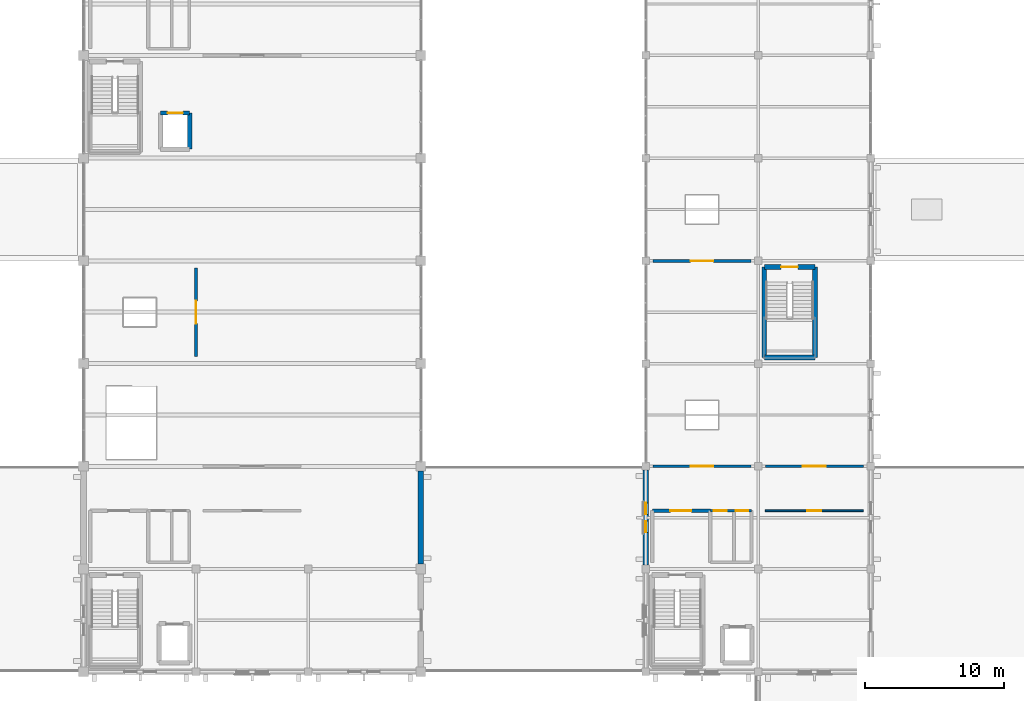
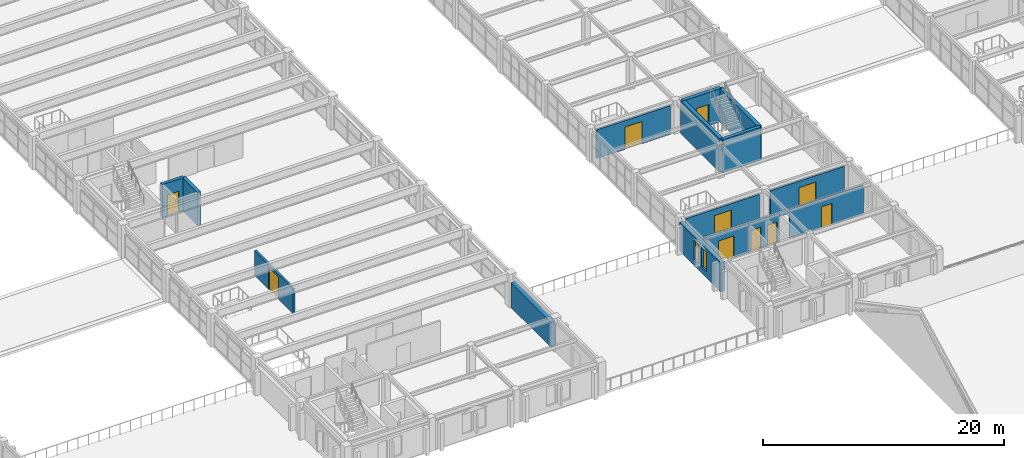
# One storey, part 104 of 121: 15 walls, 10 doors, 2 windows, 12 openings.
"""IFC4 building model written with IfcOpenShell, lengths in metres."""

from ifc_helpers import new_model, si_unit, direction, frame, frame_2d, origin, place, context, subcontext, project, spatial, rectangle, extrude, material, layer, layer_set, type_object, element, fill, save


model = new_model("IFC4")

# Units and contexts
model_context = context("Model", 3, precision=1e-05, world=origin(), true_north=direction((0.0, 1.0)))
body_context = subcontext(model_context, "Body", "Model", "MODEL_VIEW")
ifc_project = project(units=[si_unit("LENGTHUNIT", "METRE"), si_unit("AREAUNIT", "SQUARE_METRE"), si_unit("VOLUMEUNIT", "CUBIC_METRE"), si_unit("PLANEANGLEUNIT", "RADIAN"), si_unit("MASSUNIT", "GRAM", prefix="KILO")], contexts=[model_context])

# Site, building, storey
site_placement = place(None, origin())
site = spatial("IfcSite", under=ifc_project, at=site_placement, CompositionType="ELEMENT")
building_placement = place(site_placement, origin())
building = spatial("IfcBuilding", under=site, at=building_placement, Name="Cimatlan Art Gallery", CompositionType="ELEMENT")
storey_placement = place(building_placement, frame((0.0, 0.0, 10.199951171875)))
storey = spatial("IfcBuildingStorey", under=building, at=storey_placement, Name="L02", CompositionType="ELEMENT", Elevation=10.199951171875)

# Wall
ifc_material_1 = material(Name="Concrete C40/50", Category="concrete")
ifc_layer_1 = layer(ifc_material_1, 0.31005859375)
ifc_layer_set_1 = layer_set([ifc_layer_1], Name="Concrete C40/50")
wall_type_1 = type_object("IfcWallType", Name="W-CORE-310", PredefinedType="SHEAR", material=ifc_layer_set_1)
wall_1_placement = place(storey_placement, frame((82.550048828125, 61.550048828125, 0.0), z_axis=(0.0, 0.0, 1.0), x_axis=(0.0, 1.0, 0.0)))
element("IfcWall", 1, at=wall_1_placement, inside=storey, type_object=wall_type_1, Name="WL-SHFT-C6-L02-LE", PredefinedType="SHEAR", context=body_context, shape_type="SweptSolid", body=[
    extrude(rectangle(XDim=2.599853515625, YDim=0.31005859375, at=frame_2d((1.2998046875, 0.0))), origin(), (0.0, 0.0, 1.0), 3.364990234375),
])

# Wall, opening, door
wall_2_placement = place(storey_placement, frame((80.449951171875, 64.14990234375, 0.0), z_axis=(0.0, 0.0, 1.0), x_axis=(1.0, 0.0, 0.0)))
wall_2 = element("IfcWall", 2, at=wall_2_placement, inside=storey, type_object=wall_type_1, Name="WL-SHFT-C6-L02-LN", PredefinedType="SHEAR", context=body_context, shape_type="SweptSolid", body=[
    extrude(rectangle(XDim=2.10009765625, YDim=0.31005859375, at=frame_2d((1.050048828125, 0.0))), origin(), (0.0, 0.0, 1.0), 3.364990234375),
])
opening_1_placement = place(wall_2_placement, frame((0.5, 0.0, 0.0)))
opening_1 = element("IfcOpeningElement", 3, at=opening_1_placement, cuts=wall_2, Name="Opening LD-C6-L02", PredefinedType="OPENING", context=body_context, shape_type="SweptSolid", body=[
    extrude(rectangle(XDim=1.10009765625, YDim=2.14990234375, at=frame_2d((0.550048828125, 1.074951171875))), frame((0.0, 0.1650390625, 0.0), z_axis=(0.0, -1.0, 0.0), x_axis=(1.0, 0.0, 0.0)), (0.0, 0.0, 1.0), 0.330078125),
])
ifc_material_2 = material(Name="Brushed bronze sliding lift landing door")
door_type_1 = type_object("IfcDoorType", Name="LD-PS-1100", OperationType="NOTDEFINED", PredefinedType="DOOR", material=ifc_material_2)
door_1_placement = place(opening_1_placement, origin())
door_1 = element("IfcDoor", 4, at=door_1_placement, inside=storey, type_object=door_type_1, Name="LD-PL-03-L02", OperationType="SLIDING_TO_RIGHT", OverallHeight=2.14990234375, OverallWidth=1.10009765625, PredefinedType="DOOR", context=body_context, shape_type="SweptSolid", body=[
    extrude(rectangle(XDim=1.10009765625, YDim=2.14990234375, at=frame_2d((0.550048828125, 1.074951171875))), frame((0.0, 0.02490234375, 0.0), z_axis=(0.0, -1.0, 0.0), x_axis=(1.0, 0.0, 0.0)), (0.0, 0.0, 1.0), 0.050048828125),
])
fill(opening_1, door_1)

# Walls
ifc_layer_2 = layer(ifc_material_1, 0.35009765625)
ifc_layer_set_2 = layer_set([ifc_layer_2], Name="Concrete C40/50")
wall_type_2 = type_object("IfcWallType", Name="W-CORE-350", PredefinedType="SHEAR", material=ifc_layer_set_2)
wall_3_placement = place(storey_placement, frame((123.93994140625, 46.5400390625, 0.0), z_axis=(0.0, 0.0, 1.0), x_axis=(0.0, 1.0, 0.0)))
element("IfcWall", 5, at=wall_3_placement, inside=storey, type_object=wall_type_2, Name="WL-CORE-C9-L02-SW", PredefinedType="SHEAR", context=body_context, shape_type="SweptSolid", body=[
    extrude(rectangle(XDim=6.52001953125, YDim=0.35009765625, at=frame_2d((3.260009765625, 0.0))), origin(), (0.0, 0.0, 1.0), 3.364990234375),
])
wall_4_placement = place(storey_placement, frame((123.93994140625, 46.5400390625, 0.0), z_axis=(0.0, 0.0, 1.0), x_axis=(1.0, 0.0, 0.0)))
element("IfcWall", 6, at=wall_4_placement, inside=storey, type_object=wall_type_2, Name="WL-CORE-C9-L02-SS", PredefinedType="SHEAR", context=body_context, shape_type="SweptSolid", body=[
    extrude(rectangle(XDim=3.64013671875, YDim=0.35009765625, at=frame_2d((1.820068359375, 0.0))), origin(), (0.0, 0.0, 1.0), 3.364990234375),
])
wall_5_placement = place(storey_placement, frame((127.580078125, 46.5400390625, 0.0), z_axis=(0.0, 0.0, 1.0), x_axis=(0.0, 1.0, 0.0)))
element("IfcWall", 7, at=wall_5_placement, inside=storey, type_object=wall_type_2, Name="WL-CORE-C9-L02-SE", PredefinedType="SHEAR", context=body_context, shape_type="SweptSolid", body=[
    extrude(rectangle(XDim=6.52001953125, YDim=0.35009765625, at=frame_2d((3.260009765625, 0.0))), origin(), (0.0, 0.0, 1.0), 3.364990234375),
])

# Wall, opening, door
wall_6_placement = place(storey_placement, frame((123.93994140625, 53.06005859375, 0.0), z_axis=(0.0, 0.0, 1.0), x_axis=(1.0, 0.0, 0.0)))
wall_6 = element("IfcWall", 8, at=wall_6_placement, inside=storey, type_object=wall_type_2, Name="WL-CORE-C9-L02-SN", PredefinedType="SHEAR", context=body_context, shape_type="SweptSolid", body=[
    extrude(rectangle(XDim=3.64013671875, YDim=0.35009765625, at=frame_2d((1.820068359375, 0.0))), origin(), (0.0, 0.0, 1.0), 3.364990234375),
])
opening_2_placement = place(wall_6_placement, frame((1.219970703125, 0.0, 0.0)))
opening_2 = element("IfcOpeningElement", 9, at=opening_2_placement, cuts=wall_6, Name="Opening FD-C9-L02", PredefinedType="OPENING", context=body_context, shape_type="SweptSolid", body=[
    extrude(rectangle(XDim=1.199951171875, YDim=2.14990234375, at=frame_2d((0.60009765625, 1.074951171875))), frame((0.0, 0.18505859375, 0.0), z_axis=(0.0, -1.0, 0.0), x_axis=(1.0, 0.0, 0.0)), (0.0, 0.0, 1.0), 0.3701171875),
])
ifc_material_3 = material(Name="Fire-resisting steel acoustic stair door", Category="steel")
door_type_2 = type_object("IfcDoorType", Name="FD-ST-1200", OperationType="NOTDEFINED", PredefinedType="DOOR", material=ifc_material_3)
door_2_placement = place(opening_2_placement, origin())
door_2 = element("IfcDoor", 10, at=door_2_placement, inside=storey, type_object=door_type_2, Name="DR-C9-L02-ST", OperationType="SINGLE_SWING_RIGHT", OverallHeight=2.14990234375, OverallWidth=1.199951171875, PredefinedType="DOOR", context=body_context, shape_type="SweptSolid", body=[
    extrude(rectangle(XDim=1.199951171875, YDim=2.14990234375, at=frame_2d((0.60009765625, 1.074951171875))), frame((0.0, 0.02490234375, 0.0), z_axis=(0.0, -1.0, 0.0), x_axis=(1.0, 0.0, 0.0)), (0.0, 0.0, 1.0), 0.050048828125),
])
fill(opening_2, door_2)

ifc_material_4 = material(Name="Precast concrete C40/50", Category="concrete")
ifc_layer_3 = layer(ifc_material_4, 0.2451171875)
ifc_layer_set_3 = layer_set([ifc_layer_3], Name="Precast concrete C40/50")
wall_type_3 = type_object("IfcWallType", Name="W-FFL-245", PredefinedType="PARTITIONING", material=ifc_layer_set_3)
wall_7_placement = place(storey_placement, frame((115.8798828125, 35.5, 0.0), z_axis=(0.0, 0.0, 1.0), x_axis=(1.0, 0.0, 0.0)))
wall_7 = element("IfcWall", 11, at=wall_7_placement, inside=storey, type_object=wall_type_3, Name="WL-LOB-C4-L02-N", PredefinedType="PARTITIONING", context=body_context, shape_type="SweptSolid", body=[
    extrude(rectangle(XDim=4.170166015625, YDim=0.2451171875, at=frame_2d((2.0849609375, 0.0))), origin(), (0.0, 0.0, 1.0), 2.903076171875),
])
opening_3_placement = place(wall_7_placement, frame((1.300048828125, 0.0, 0.0)))
opening_3 = element("IfcOpeningElement", 12, at=opening_3_placement, cuts=wall_7, Name="Opening FDL-C4-L02", PredefinedType="OPENING", context=body_context, shape_type="SweptSolid", body=[
    extrude(rectangle(XDim=1.5, YDim=2.14990234375, at=frame_2d((0.75, 1.074951171875))), frame((0.0, 0.132568359375, 0.0), z_axis=(0.0, -1.0, 0.0), x_axis=(1.0, 0.0, 0.0)), (0.0, 0.0, 1.0), 0.26513671875),
])
ifc_material_5 = material(Name="Fire-resisting double-seal lobby door")
door_type_3 = type_object("IfcDoorType", Name="FD-LB-1500", OperationType="NOTDEFINED", PredefinedType="DOOR", material=ifc_material_5)
door_3_placement = place(opening_3_placement, origin())
door_3 = element("IfcDoor", 13, at=door_3_placement, inside=storey, type_object=door_type_3, Name="DR-LOB-C4-L02", OperationType="SINGLE_SWING_RIGHT", OverallHeight=2.14990234375, OverallWidth=1.5, PredefinedType="DOOR", context=body_context, shape_type="SweptSolid", body=[
    extrude(rectangle(XDim=1.5, YDim=2.14990234375, at=frame_2d((0.75, 1.074951171875))), frame((0.0, 0.02490234375, 0.0), z_axis=(0.0, -1.0, 0.0), x_axis=(1.0, 0.0, 0.0)), (0.0, 0.0, 1.0), 0.050048828125),
])
fill(opening_3, door_3)

ifc_material_6 = material(Name="Acoustic gypsum and steel stud partition", Category="steel")
ifc_layer_4 = layer(ifc_material_6, 0.205078125)
ifc_layer_set_4 = layer_set([ifc_layer_4], Name="Acoustic gypsum and steel stud partition")
wall_type_4 = type_object("IfcWallType", Name="W-GAL-205", PredefinedType="PARTITIONING", material=ifc_layer_set_4)
wall_8_placement = place(storey_placement, frame((83.0, 46.6201171875, 0.0), z_axis=(0.0, 0.0, 1.0), x_axis=(0.0, 1.0, 0.0)))
wall_8 = element("IfcWall", 14, at=wall_8_placement, inside=storey, type_object=wall_type_4, Name="WL-RM-L02-GAL-CW", PredefinedType="PARTITIONING", context=body_context, shape_type="SweptSolid", body=[
    extrude(rectangle(XDim=6.35986328125, YDim=0.205078125, at=frame_2d((3.179931640625, 0.0))), origin(), (0.0, 0.0, 1.0), 2.51416015625),
])
opening_4_placement = place(wall_8_placement, frame((2.35498046875, 0.0, 0.0)))
opening_4 = element("IfcOpeningElement", 15, at=opening_4_placement, cuts=wall_8, Name="Opening DI-0231", PredefinedType="OPENING", context=body_context, shape_type="SweptSolid", body=[
    extrude(rectangle(XDim=1.64990234375, YDim=2.25, at=frame_2d((0.824951171875, 1.125))), frame((0.0, 0.112548828125, 0.0), z_axis=(0.0, -1.0, 0.0), x_axis=(1.0, 0.0, 0.0)), (0.0, 0.0, 1.0), 0.22509765625),
])
ifc_material_7 = material(Name="European oak gallery double door")
door_type_4 = type_object("IfcDoorType", Name="DI-GL-1650", OperationType="NOTDEFINED", PredefinedType="DOOR", material=ifc_material_7)
door_4_placement = place(opening_4_placement, origin())
door_4 = element("IfcDoor", 16, at=door_4_placement, inside=storey, type_object=door_type_4, Name="DR-RM-L02-GAL-CW", OperationType="SINGLE_SWING_LEFT", OverallHeight=2.25, OverallWidth=1.64990234375, PredefinedType="DOOR", context=body_context, shape_type="SweptSolid", body=[
    extrude(rectangle(XDim=1.64990234375, YDim=2.25, at=frame_2d((0.824951171875, 1.125))), frame((0.0, 0.02490234375, 0.0), z_axis=(0.0, -1.0, 0.0), x_axis=(1.0, 0.0, 0.0)), (0.0, 0.0, 1.0), 0.050048828125),
])
fill(opening_4, door_4)

wall_9_placement = place(storey_placement, frame((115.919921875, 38.699951171875, 0.0), z_axis=(0.0, 0.0, 1.0), x_axis=(1.0, 0.0, 0.0)))
wall_9 = element("IfcWall", 17, at=wall_9_placement, inside=storey, type_object=wall_type_4, Name="WL-RM-L02-GAL-E1", PredefinedType="PARTITIONING", context=body_context, shape_type="SweptSolid", body=[
    extrude(rectangle(XDim=7.06005859375, YDim=0.205078125, at=frame_2d((3.530029296875, 0.0))), origin(), (0.0, 0.0, 1.0), 2.903076171875),
])
opening_5_placement = place(wall_9_placement, frame((2.705078125, 0.0, 0.0)))
opening_5 = element("IfcOpeningElement", 18, at=opening_5_placement, cuts=wall_9, Name="Opening DI-0235", PredefinedType="OPENING", context=body_context, shape_type="SweptSolid", body=[
    extrude(rectangle(XDim=1.64990234375, YDim=2.25, at=frame_2d((0.824951171875, 1.125))), frame((0.0, 0.112548828125, 0.0), z_axis=(0.0, -1.0, 0.0), x_axis=(1.0, 0.0, 0.0)), (0.0, 0.0, 1.0), 0.22509765625),
])
door_5_placement = place(opening_5_placement, origin())
door_5 = element("IfcDoor", 19, at=door_5_placement, inside=storey, type_object=door_type_4, Name="DR-RM-L02-GAL-E1", OperationType="SINGLE_SWING_LEFT", OverallHeight=2.25, OverallWidth=1.64990234375, PredefinedType="DOOR", context=body_context, shape_type="SweptSolid", body=[
    extrude(rectangle(XDim=1.64990234375, YDim=2.25, at=frame_2d((0.824951171875, 1.125))), frame((0.0, 0.02490234375, 0.0), z_axis=(0.0, -1.0, 0.0), x_axis=(1.0, 0.0, 0.0)), (0.0, 0.0, 1.0), 0.050048828125),
])
fill(opening_5, door_5)

wall_10_placement = place(storey_placement, frame((124.02001953125, 38.699951171875, 0.0), z_axis=(0.0, 0.0, 1.0), x_axis=(1.0, 0.0, 0.0)))
wall_10 = element("IfcWall", 20, at=wall_10_placement, inside=storey, type_object=wall_type_4, Name="WL-RM-L02-GAL-E1B", PredefinedType="PARTITIONING", context=body_context, shape_type="SweptSolid", body=[
    extrude(rectangle(XDim=7.06005859375, YDim=0.205078125, at=frame_2d((3.530029296875, 0.0))), origin(), (0.0, 0.0, 1.0), 2.903076171875),
])
opening_6_placement = place(wall_10_placement, frame((2.705078125, 0.0, 0.0)))
opening_6 = element("IfcOpeningElement", 21, at=opening_6_placement, cuts=wall_10, Name="Opening DI-0236", PredefinedType="OPENING", context=body_context, shape_type="SweptSolid", body=[
    extrude(rectangle(XDim=1.64990234375, YDim=2.25, at=frame_2d((0.824951171875, 1.125))), frame((0.0, 0.112548828125, 0.0), z_axis=(0.0, -1.0, 0.0), x_axis=(1.0, 0.0, 0.0)), (0.0, 0.0, 1.0), 0.22509765625),
])
door_6_placement = place(opening_6_placement, origin())
door_6 = element("IfcDoor", 22, at=door_6_placement, inside=storey, type_object=door_type_4, Name="DR-RM-L02-GAL-E1B", OperationType="SINGLE_SWING_RIGHT", OverallHeight=2.25, OverallWidth=1.64990234375, PredefinedType="DOOR", context=body_context, shape_type="SweptSolid", body=[
    extrude(rectangle(XDim=1.64990234375, YDim=2.25, at=frame_2d((0.824951171875, 1.125))), frame((0.0, 0.02490234375, 0.0), z_axis=(0.0, -1.0, 0.0), x_axis=(1.0, 0.0, 0.0)), (0.0, 0.0, 1.0), 0.050048828125),
])
fill(opening_6, door_6)

wall_11_placement = place(storey_placement, frame((115.919921875, 53.5, 0.0), z_axis=(0.0, 0.0, 1.0), x_axis=(1.0, 0.0, 0.0)))
wall_11 = element("IfcWall", 23, at=wall_11_placement, inside=storey, type_object=wall_type_4, Name="WL-RM-L02-GAL-E2", PredefinedType="PARTITIONING", context=body_context, shape_type="SweptSolid", body=[
    extrude(rectangle(XDim=7.06005859375, YDim=0.205078125, at=frame_2d((3.530029296875, 0.0))), origin(), (0.0, 0.0, 1.0), 2.903076171875),
])
opening_7_placement = place(wall_11_placement, frame((2.705078125, 0.0, 0.0)))
opening_7 = element("IfcOpeningElement", 24, at=opening_7_placement, cuts=wall_11, Name="Opening DI-0237", PredefinedType="OPENING", context=body_context, shape_type="SweptSolid", body=[
    extrude(rectangle(XDim=1.64990234375, YDim=2.25, at=frame_2d((0.824951171875, 1.125))), frame((0.0, 0.112548828125, 0.0), z_axis=(0.0, -1.0, 0.0), x_axis=(1.0, 0.0, 0.0)), (0.0, 0.0, 1.0), 0.22509765625),
])
door_7_placement = place(opening_7_placement, origin())
door_7 = element("IfcDoor", 25, at=door_7_placement, inside=storey, type_object=door_type_4, Name="DR-RM-L02-GAL-E2", OperationType="SINGLE_SWING_LEFT", OverallHeight=2.25, OverallWidth=1.64990234375, PredefinedType="DOOR", context=body_context, shape_type="SweptSolid", body=[
    extrude(rectangle(XDim=1.64990234375, YDim=2.25, at=frame_2d((0.824951171875, 1.125))), frame((0.0, 0.02490234375, 0.0), z_axis=(0.0, -1.0, 0.0), x_axis=(1.0, 0.0, 0.0)), (0.0, 0.0, 1.0), 0.050048828125),
])
fill(opening_7, door_7)

ifc_material_8 = material(Name="Fire-rated gypsum board and steel stud partition", Category="steel")
ifc_layer_5 = layer(ifc_material_8, 0.139892578125)
ifc_layer_set_5 = layer_set([ifc_layer_5], Name="Fire-rated gypsum board and steel stud partition")
wall_type_5 = type_object("IfcWallType", Name="W-OFF-140", PredefinedType="PARTITIONING", material=ifc_layer_set_5)
wall_12_placement = place(storey_placement, frame((124.02001953125, 35.5, 0.0), z_axis=(0.0, 0.0, 1.0), x_axis=(1.0, 0.0, 0.0)))
wall_12 = element("IfcWall", 26, at=wall_12_placement, inside=storey, type_object=wall_type_5, Name="WL-RM-L02-CUR-02", PredefinedType="PARTITIONING", context=body_context, shape_type="SweptSolid", body=[
    extrude(rectangle(XDim=7.06005859375, YDim=0.139892578125, at=frame_2d((3.530029296875, 0.0))), origin(), (0.0, 0.0, 1.0), 2.903076171875),
])
opening_8_placement = place(wall_12_placement, frame((3.030029296875, 0.0, 0.0)))
opening_8 = element("IfcOpeningElement", 27, at=opening_8_placement, cuts=wall_12, Name="Opening DI-0234", PredefinedType="OPENING", context=body_context, shape_type="SweptSolid", body=[
    extrude(rectangle(XDim=1.0, YDim=2.1201171875, at=frame_2d((0.5, 1.06005859375))), frame((0.0, 0.080078125, 0.0), z_axis=(0.0, -1.0, 0.0), x_axis=(1.0, 0.0, 0.0)), (0.0, 0.0, 1.0), 0.159912109375),
])
ifc_material_9 = material(Name="Timber curatorial office door", Category="wood")
door_type_5 = type_object("IfcDoorType", Name="DI-OF-1000", OperationType="NOTDEFINED", PredefinedType="DOOR", material=ifc_material_9)
door_8_placement = place(opening_8_placement, origin())
door_8 = element("IfcDoor", 28, at=door_8_placement, inside=storey, type_object=door_type_5, Name="DR-RM-L02-CUR-02", OperationType="SINGLE_SWING_RIGHT", OverallHeight=2.1201171875, OverallWidth=1.0, PredefinedType="DOOR", context=body_context, shape_type="SweptSolid", body=[
    extrude(rectangle(XDim=1.0, YDim=2.1201171875, at=frame_2d((0.5, 1.06005859375))), frame((0.0, 0.02490234375, 0.0), z_axis=(0.0, -1.0, 0.0), x_axis=(1.0, 0.0, 0.0)), (0.0, 0.0, 1.0), 0.050048828125),
])
fill(opening_8, door_8)

# Wall, openings, doors
ifc_material_10 = material(Name="Moisture-resistant fire-rated plumbing wall")
ifc_layer_6 = layer(ifc_material_10, 0.195068359375)
ifc_layer_set_6 = layer_set([ifc_layer_6], Name="Moisture-resistant fire-rated plumbing wall")
wall_type_6 = type_object("IfcWallType", Name="W-PLM-195", PredefinedType="PARTITIONING", material=ifc_layer_set_6)
wall_13_placement = place(storey_placement, frame((120.050048828125, 35.5, 0.0), z_axis=(0.0, 0.0, 1.0), x_axis=(1.0, 0.0, 0.0)))
wall_13 = element("IfcWall", 29, at=wall_13_placement, inside=storey, type_object=wall_type_6, Name="WL-WC-C4-L02-N", PredefinedType="PARTITIONING", context=body_context, shape_type="SweptSolid", body=[
    extrude(rectangle(XDim=2.969970703125, YDim=0.195068359375, at=frame_2d((1.48486328125, 0.0))), origin(), (0.0, 0.0, 1.0), 2.903076171875),
])
opening_9_placement = place(wall_13_placement, frame((0.25, 0.0, 0.0)))
opening_9 = element("IfcOpeningElement", 30, at=opening_9_placement, cuts=wall_13, Name="Opening DWC-C4A-L02", PredefinedType="OPENING", context=body_context, shape_type="SweptSolid", body=[
    extrude(rectangle(XDim=0.949951171875, YDim=2.10009765625, at=frame_2d((0.47509765625, 1.050048828125))), frame((0.0, 0.107421875, 0.0), z_axis=(0.0, -1.0, 0.0), x_axis=(1.0, 0.0, 0.0)), (0.0, 0.0, 1.0), 0.215087890625),
])
opening_10_placement = place(wall_13_placement, frame((1.820068359375, 0.0, 0.0)))
opening_10 = element("IfcOpeningElement", 31, at=opening_10_placement, cuts=wall_13, Name="Opening DWC-C4B-L02", PredefinedType="OPENING", context=body_context, shape_type="SweptSolid", body=[
    extrude(rectangle(XDim=0.89990234375, YDim=2.10009765625, at=frame_2d((0.449951171875, 1.050048828125))), frame((0.0, 0.107421875, 0.0), z_axis=(0.0, -1.0, 0.0), x_axis=(1.0, 0.0, 0.0)), (0.0, 0.0, 1.0), 0.215087890625),
])
ifc_material_11 = material(Name="Sanitary room door")
door_type_6 = type_object("IfcDoorType", Name="DI-WC-0900", OperationType="NOTDEFINED", PredefinedType="DOOR", material=ifc_material_11)
door_9_placement = place(opening_10_placement, origin())
door_9 = element("IfcDoor", 32, at=door_9_placement, inside=storey, type_object=door_type_6, Name="DR-PWC-C4-L02", OperationType="SINGLE_SWING_RIGHT", OverallHeight=2.10009765625, OverallWidth=0.89990234375, PredefinedType="DOOR", context=body_context, shape_type="SweptSolid", body=[
    extrude(rectangle(XDim=0.89990234375, YDim=2.10009765625, at=frame_2d((0.449951171875, 1.050048828125))), frame((0.0, 0.02490234375, 0.0), z_axis=(0.0, -1.0, 0.0), x_axis=(1.0, 0.0, 0.0)), (0.0, 0.0, 1.0), 0.050048828125),
])
fill(opening_10, door_9)
ifc_material_12 = material(Name="Accessible sanitary room door")
door_type_7 = type_object("IfcDoorType", Name="DI-WC-0950", OperationType="NOTDEFINED", PredefinedType="DOOR", material=ifc_material_12)
door_10_placement = place(opening_9_placement, origin())
door_10 = element("IfcDoor", 33, at=door_10_placement, inside=storey, type_object=door_type_7, Name="DR-AWC-C4-L02", OperationType="SINGLE_SWING_LEFT", OverallHeight=2.10009765625, OverallWidth=0.949951171875, PredefinedType="DOOR", context=body_context, shape_type="SweptSolid", body=[
    extrude(rectangle(XDim=0.949951171875, YDim=2.10009765625, at=frame_2d((0.47509765625, 1.050048828125))), frame((0.0, 0.02490234375, 0.0), z_axis=(0.0, -1.0, 0.0), x_axis=(1.0, 0.0, 0.0)), (0.0, 0.0, 1.0), 0.050048828125),
])
fill(opening_9, door_10)

# Wall
ifc_layer_7 = layer(ifc_material_4, 0.39990234375)
ifc_layer_set_7 = layer_set([ifc_layer_7], Name="Precast concrete C40/50")
wall_type_7 = type_object("IfcWallType", Name="WL-EXT-CAN-400", PredefinedType="SOLIDWALL", material=ifc_layer_set_7)
wall_14_placement = place(storey_placement, frame((99.199951171875, 38.345947265625, 0.0), z_axis=(0.0, 0.0, 1.0), x_axis=(0.0, -1.0, 0.0)))
element("IfcWall", 34, at=wall_14_placement, inside=storey, type_object=wall_type_7, Name="WL-EXT-L02-11-04-E", PredefinedType="SOLIDWALL", context=body_context, shape_type="SweptSolid", body=[
    extrude(rectangle(XDim=6.69189453125, YDim=0.39990234375, at=frame_2d((3.345947265625, 0.0))), origin(), (0.0, 0.0, 1.0), 2.509033203125),
])

# Wall, openings, windows
wall_15_placement = place(storey_placement, frame((115.39990234375, 31.5791015625, 0.0), z_axis=(0.0, 0.0, 1.0), x_axis=(0.0, 1.0, 0.0)))
wall_15 = element("IfcWall", 35, at=wall_15_placement, inside=storey, type_object=wall_type_7, Name="WL-EXT-L02-14-04-W", PredefinedType="SOLIDWALL", context=body_context, shape_type="SweptSolid", body=[
    extrude(rectangle(XDim=6.841796875, YDim=0.39990234375, at=frame_2d((3.4208984375, 0.0))), origin(), (0.0, 0.0, 1.0), 2.89794921875),
])
opening_11_placement = place(wall_15_placement, frame((2.361083984375, 0.0, 0.60009765625)))
opening_11 = element("IfcOpeningElement", 36, at=opening_11_placement, cuts=wall_15, Name="Opening WN-0171", PredefinedType="OPENING", context=body_context, shape_type="SweptSolid", body=[
    extrude(rectangle(XDim=0.820068359375, YDim=2.0, at=frame_2d((0.41015625, 1.0))), frame((0.0, 0.2099609375, 0.0), z_axis=(0.0, -1.0, 0.0), x_axis=(1.0, 0.0, 0.0)), (0.0, 0.0, 1.0), 0.419921875),
])
opening_12_placement = place(wall_15_placement, frame((3.660888671875, 0.0, 0.60009765625)))
opening_12 = element("IfcOpeningElement", 37, at=opening_12_placement, cuts=wall_15, Name="Opening WN-0172", PredefinedType="OPENING", context=body_context, shape_type="SweptSolid", body=[
    extrude(rectangle(XDim=0.820068359375, YDim=2.0, at=frame_2d((0.41015625, 1.0))), frame((0.0, 0.2099609375, 0.0), z_axis=(0.0, -1.0, 0.0), x_axis=(1.0, 0.0, 0.0)), (0.0, 0.0, 1.0), 0.419921875),
])
ifc_material_13 = material(Name="Low-E laminated double glazing in bronze lancet frame", Category="glass")
window_type = type_object("IfcWindowType", Name="WIN-W-L02-0820X2000", PartitioningType="SINGLE_PANEL", PredefinedType="WINDOW", material=ifc_material_13)
window_1_placement = place(opening_11_placement, origin())
window_1 = element("IfcWindow", 38, at=window_1_placement, inside=storey, type_object=window_type, Name="WIN-0171", OverallHeight=2.0, OverallWidth=0.820068359375, PartitioningType="SINGLE_PANEL", PredefinedType="WINDOW", context=body_context, shape_type="SweptSolid", body=[
    extrude(rectangle(XDim=0.820068359375, YDim=2.0, at=frame_2d((0.41015625, 1.0))), frame((0.0, 0.030029296875, 0.0), z_axis=(0.0, -1.0, 0.0), x_axis=(1.0, 0.0, 0.0)), (0.0, 0.0, 1.0), 0.06005859375),
])
fill(opening_11, window_1)
window_2_placement = place(opening_12_placement, origin())
window_2 = element("IfcWindow", 39, at=window_2_placement, inside=storey, type_object=window_type, Name="WIN-0172", OverallHeight=2.0, OverallWidth=0.820068359375, PartitioningType="SINGLE_PANEL", PredefinedType="WINDOW", context=body_context, shape_type="SweptSolid", body=[
    extrude(rectangle(XDim=0.820068359375, YDim=2.0, at=frame_2d((0.41015625, 1.0))), frame((0.0, 0.030029296875, 0.0), z_axis=(0.0, -1.0, 0.0), x_axis=(1.0, 0.0, 0.0)), (0.0, 0.0, 1.0), 0.06005859375),
])
fill(opening_12, window_2)

save(model, "model.ifc")
